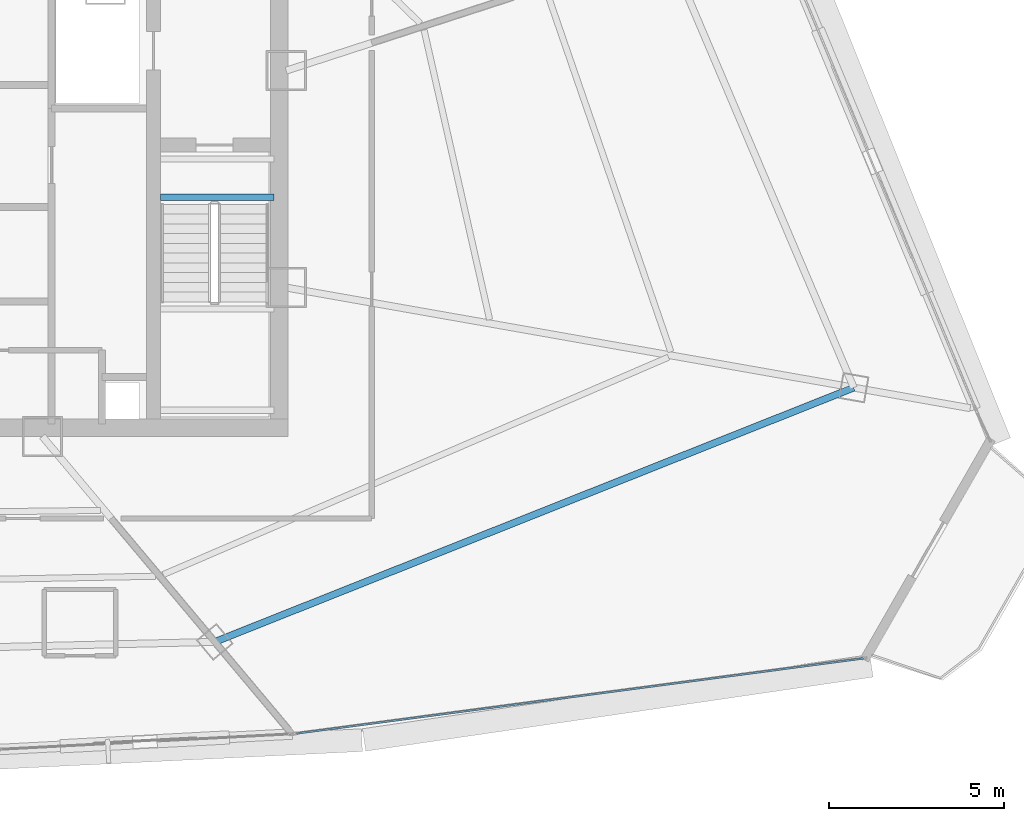
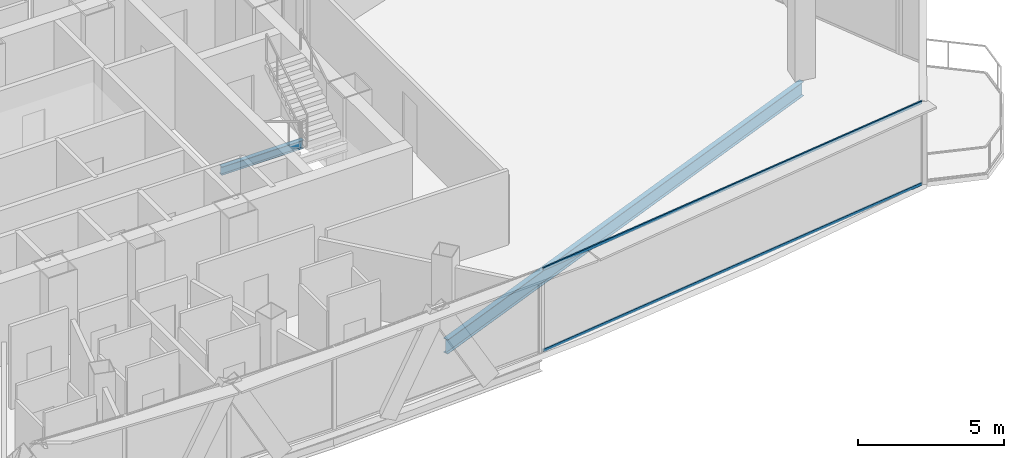
# One storey, part 13 of 37: 2 beams, 2 members, 1 element without a shape of its own.
"""IFC4 building model written with IfcOpenShell, lengths in metres."""

from ifc_helpers import new_model, si_unit, direction, frame, origin, origin_2d, place, context, subcontext, project, spatial, hollow_rectangle, i_section, extrude, source, transform, mapped, material, layer, layer_set, material_profile, profile_set, type_object, element, aggregate, save


model = new_model("IFC4")

# Units and contexts
model_context = context("Model", 3, precision=1e-05, world=origin(), true_north=direction((0.0, 1.0)))
body_context = subcontext(model_context, "Body", "Model", "MODEL_VIEW")
ifc_project = project(units=[si_unit("LENGTHUNIT", "METRE"), si_unit("AREAUNIT", "SQUARE_METRE"), si_unit("VOLUMEUNIT", "CUBIC_METRE"), si_unit("PLANEANGLEUNIT", "RADIAN"), si_unit("MASSUNIT", "GRAM", prefix="KILO"), si_unit("THERMODYNAMICTEMPERATUREUNIT", "KELVIN"), si_unit("POWERUNIT", "WATT")], contexts=[model_context])

# Site, building, storey
site_placement = place(None, origin())
site = spatial("IfcSite", under=ifc_project, at=site_placement, CompositionType="ELEMENT")
building_placement = place(site_placement, origin())
building = spatial("IfcBuilding", under=site, at=building_placement, Name="Yunzhuo Pagoda Commons", CompositionType="ELEMENT")
storey_placement = place(building_placement, frame((0.0, 0.0, 277.56005859375)))
storey = spatial("IfcBuildingStorey", under=building, at=storey_placement, Name="L69", CompositionType="ELEMENT", Elevation=277.56005859375)

# Beams
ifc_material_1 = material(Name="Structural steel Q355B", Category="steel")
ifc_material_profile_1 = material_profile(ifc_material_1, i_section(OverallWidth=0.175048828125, OverallDepth=0.35009765625, WebThickness=0.007080078125, FlangeThickness=0.010986328125, at=origin_2d()), Name="Structural steel Q355B")
ifc_profile_set_1 = profile_set([ifc_material_profile_1], Name="Structural steel Q355B")
beam_type_1 = type_object("IfcBeamType", Name="B-JS2 Joist HN 350x175x7x11", PredefinedType="JOIST", material=ifc_profile_set_1)
shared_shape_1 = source(origin(), body_context, "Body", "SweptSolid", [
    extrude(i_section(OverallWidth=0.175048828125, OverallDepth=0.35009765625, WebThickness=0.007080078125, FlangeThickness=0.010986328125, at=origin_2d()), origin(), (0.0, 0.0, 1.0), 3.25),
])
beam_1_placement = place(storey_placement, frame((56.800048828125, 34.10009765625, -0.375), z_axis=(1.0, 0.0, 0.0), x_axis=(0.0, 1.0, 0.0)))
element("IfcBeam", 1, at=beam_1_placement, inside=storey, type_object=beam_type_1, Name="L69 ST2 landing support beam 173A", PredefinedType="JOIST", context=body_context, shape_type="MappedRepresentation", body=[
    mapped(shared_shape_1, transform((0.0, 0.0, 0.0), scale=1.0)),
])
ifc_material_profile_2 = material_profile(ifc_material_1, i_section(OverallWidth=0.199951171875, OverallDepth=0.60009765625, WebThickness=0.010986328125, FlangeThickness=0.01708984375, at=origin_2d()), Name="Structural steel Q355B")
ifc_profile_set_2 = profile_set([ifc_material_profile_2], Name="Structural steel Q355B")
beam_type_2 = type_object("IfcBeamType", Name="B-RG3 Beam HN 600x200x11x17", PredefinedType="BEAM", material=ifc_profile_set_2)
shared_shape_2 = source(origin(), body_context, "Body", "SweptSolid", [
    extrude(i_section(OverallWidth=0.199951171875, OverallDepth=0.60009765625, WebThickness=0.010986328125, FlangeThickness=0.01708984375, at=origin_2d()), origin(), (0.0, 0.0, 1.0), 19.7041015625),
])
beam_2_placement = place(storey_placement, frame((58.353515625, 21.361572265625, -0.56005859375), z_axis=(0.929150216007, 0.369702415592, 0.0), x_axis=(-0.369702415592, 0.929150216007, 0.0)))
element("IfcBeam", 2, at=beam_2_placement, inside=storey, type_object=beam_type_2, Name="L69 column-ring beam 4", PredefinedType="BEAM", context=body_context, shape_type="MappedRepresentation", body=[
    mapped(shared_shape_2, transform((0.0, 0.0, 0.0), scale=1.0)),
])

# Curtain wall, members
ifc_material_2 = material(Name="Anodized aluminium 6063-T6", Category="aluminium")
ifc_layer = layer(ifc_material_2, 0.139892578125)
ifc_layer_set = layer_set([ifc_layer], Name="Anodized aluminium 6063-T6")
curtain_wall_type = type_object("IfcCurtainWallType", Name="CW-HI High-Zone Ribbon Curtain Wall", PredefinedType="NOTDEFINED", material=ifc_layer_set)
curtain_wall_placement = place(storey_placement, origin())
curtain_wall = element("IfcCurtainWall", 3, at=curtain_wall_placement, inside=storey, type_object=curtain_wall_type, Name="L69 curtain wall CW-L69-F1B5", PredefinedType="NOTDEFINED")
ifc_material_profile_3 = material_profile(ifc_material_2, hollow_rectangle(XDim=0.054931640625, YDim=0.1201171875, WallThickness=0.00341796875, at=origin_2d()), Name="Anodized aluminium 6063-T6")
ifc_profile_set_3 = profile_set([ifc_material_profile_3], Name="Anodized aluminium 6063-T6")
member_type = type_object("IfcMemberType", Name="CW-HI-T Transom RHS 120x55x3.5", PredefinedType="USERDEFINED", material=ifc_profile_set_3)
shared_shape_3 = source(origin(), body_context, "Body", "SweptSolid", [
    extrude(hollow_rectangle(XDim=0.054931640625, YDim=0.1201171875, WallThickness=0.00341796875, at=origin_2d()), origin(), (0.0, 0.0, 1.0), 16.373779296875),
])
member_1_placement = place(storey_placement, frame((60.702392578125, 18.739013671875, 0.02734375), z_axis=(0.991342383134, 0.131302244471, 0.0), x_axis=(-0.131302244471, 0.991342383134, 0.0)))
member_1 = element("IfcMember", 4, at=member_1_placement, type_object=member_type, Name="CW transom 1.1", ObjectType="TRANSOM", PredefinedType="USERDEFINED", context=body_context, shape_type="MappedRepresentation", body=[
    mapped(shared_shape_3, transform((0.0, 0.0, 0.0), scale=1.0)),
])
member_2_placement = place(storey_placement, frame((60.702392578125, 18.739013671875, 3.4423828125), z_axis=(0.991342383134, 0.131302244471, 0.0), x_axis=(-0.131302244471, 0.991342383134, 0.0)))
member_2 = element("IfcMember", 5, at=member_2_placement, type_object=member_type, Name="CW transom 1.2", ObjectType="TRANSOM", PredefinedType="USERDEFINED", context=body_context, shape_type="MappedRepresentation", body=[
    mapped(shared_shape_3, transform((0.0, 0.0, 0.0), scale=1.0)),
])
aggregate(curtain_wall, [member_1, member_2])

save(model, "model.ifc")
